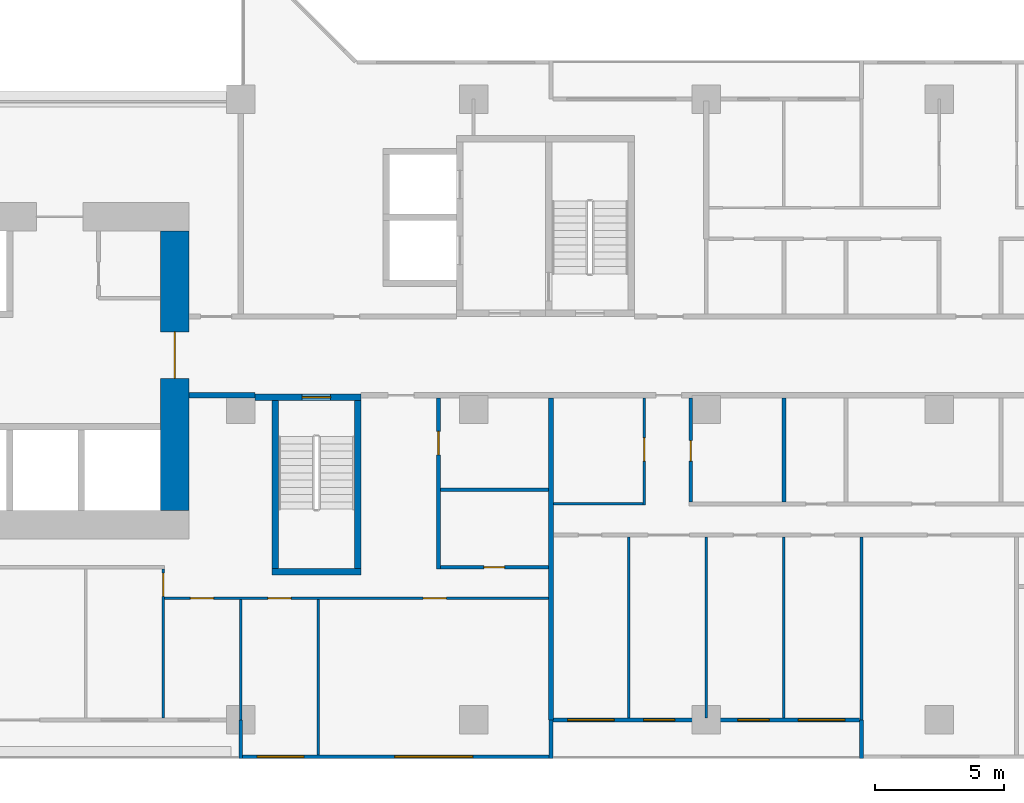
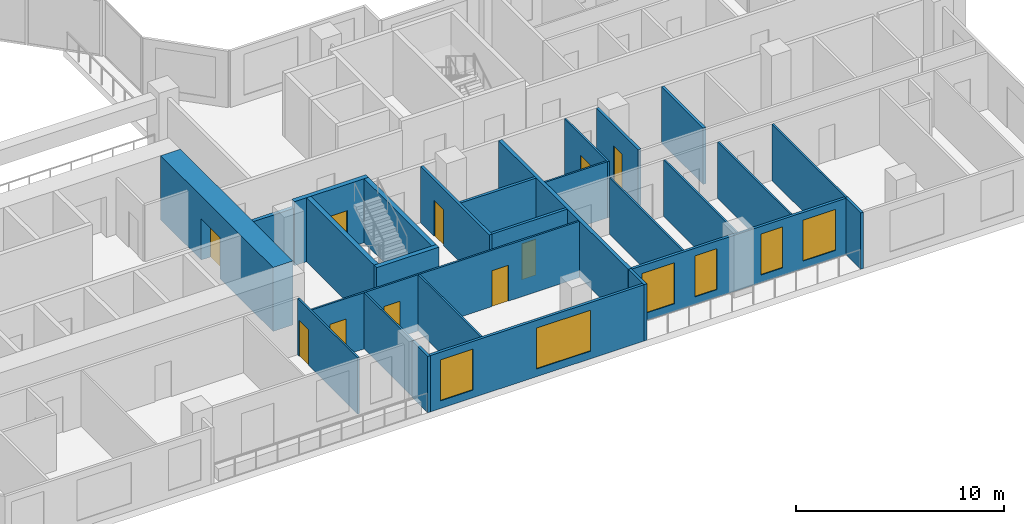
# One storey, part 6 of 16: 27 walls, 10 doors, 6 windows, 16 openings.
"""IFC4 building model written with IfcOpenShell, lengths in metres."""

from ifc_helpers import new_model, si_unit, direction, frame, frame_2d, origin, place, context, subcontext, project, spatial, rectangle, extrude, material, layer, layer_set, type_object, element, fill, save


model = new_model("IFC4")

# Units and contexts
model_context = context("Model", 3, precision=1e-05, world=origin(), true_north=direction((0.0, 1.0)))
body_context = subcontext(model_context, "Body", "Model", "MODEL_VIEW")
ifc_project = project(units=[si_unit("LENGTHUNIT", "METRE"), si_unit("AREAUNIT", "SQUARE_METRE"), si_unit("VOLUMEUNIT", "CUBIC_METRE"), si_unit("PLANEANGLEUNIT", "RADIAN"), si_unit("MASSUNIT", "GRAM", prefix="KILO")], contexts=[model_context])

# Site, building, storey
site_placement = place(None, origin())
site = spatial("IfcSite", under=ifc_project, at=site_placement, CompositionType="ELEMENT")
building_placement = place(site_placement, origin())
building = spatial("IfcBuilding", under=site, at=building_placement, Name="Chenar Terraces", CompositionType="ELEMENT")
storey_placement = place(building_placement, frame((0.0, 0.0, 82.64990234375)))
storey = spatial("IfcBuildingStorey", under=building, at=storey_placement, Name="L18", CompositionType="ELEMENT", Elevation=82.64990234375)

# Wall, opening, door
ifc_material_1 = material(Name="Concrete C70/85", Category="concrete")
ifc_layer_1 = layer(ifc_material_1, 1.10009765625)
ifc_layer_set_1 = layer_set([ifc_layer_1], Name="Concrete C70/85")
wall_type_1 = type_object("IfcWallType", Name="Core wall 1100 Concrete C70/85", PredefinedType="SHEAR", material=ifc_layer_set_1)
wall_1_placement = place(storey_placement, frame((33.449951171875, 8.10009765625, 0.0), z_axis=(0.0, 0.0, 1.0), x_axis=(0.0, 1.0, 0.0)))
wall_1 = element("IfcWall", 1, at=wall_1_placement, inside=storey, type_object=wall_type_1, Name="Core wall E L18", PredefinedType="SHEAR", context=body_context, shape_type="SweptSolid", body=[
    extrude(rectangle(XDim=10.7998046875, YDim=1.10009765625, at=frame_2d((5.39990234375, 0.0))), origin(), (0.0, 0.0, 1.0), 3.75),
])
opening_1_placement = place(wall_1_placement, frame((5.10009765625, 0.0, 0.0)))
opening_1 = element("IfcOpeningElement", 2, at=opening_1_placement, cuts=wall_1, Name="Opening DL18-C1", PredefinedType="OPENING", context=body_context, shape_type="SweptSolid", body=[
    extrude(rectangle(XDim=1.800048828125, YDim=2.39990234375, at=frame_2d((0.89990234375, 1.199951171875))), frame((0.0, 0.56005859375, 0.0), z_axis=(0.0, -1.0, 0.0), x_axis=(1.0, 0.0, 0.0)), (0.0, 0.0, 1.0), 1.1201171875),
])
ifc_material_2 = material(Name="Steel-framed fire-resisting door leaf", Category="steel")
door_type_1 = type_object("IfcDoorType", Name="Core entrance double fire door FD60 1800 x 2400", OperationType="DOUBLE_DOOR_SINGLE_SWING", PredefinedType="DOOR", material=ifc_material_2)
door_1_placement = place(opening_1_placement, origin())
door_1 = element("IfcDoor", 3, at=door_1_placement, inside=storey, type_object=door_type_1, Name="Core door DL18-C1", OperationType="DOUBLE_DOOR_SINGLE_SWING", OverallHeight=2.39990234375, OverallWidth=1.800048828125, PredefinedType="DOOR", context=body_context, shape_type="SweptSolid", body=[
    extrude(rectangle(XDim=1.800048828125, YDim=2.39990234375, at=frame_2d((0.89990234375, 1.199951171875))), frame((0.0, 0.02490234375, 0.0), z_axis=(0.0, -1.0, 0.0), x_axis=(1.0, 0.0, 0.0)), (0.0, 0.0, 1.0), 0.050048828125),
])
fill(opening_1, door_1)

# Wall
ifc_material_3 = material(Name="Concrete C70/85", Category="concrete")
ifc_layer_2 = layer(ifc_material_3, 0.25)
ifc_layer_set_2 = layer_set([ifc_layer_2], Name="Concrete C70/85")
wall_type_2 = type_object("IfcWallType", Name="Core wall 250 Concrete C70/85", PredefinedType="SHEAR", material=ifc_layer_set_2)
wall_2_placement = place(storey_placement, frame((37.199951171875, 5.72509765625, 0.0), z_axis=(0.0, 0.0, 1.0), x_axis=(1.0, 0.0, 0.0)))
element("IfcWall", 4, at=wall_2_placement, inside=storey, type_object=wall_type_2, Name="Core wall ST2_S L18", PredefinedType="SHEAR", context=body_context, shape_type="SweptSolid", body=[
    extrude(rectangle(XDim=3.449951171875, YDim=0.25, at=frame_2d((1.72509765625, 0.0))), origin(), (0.0, 0.0, 1.0), 3.75),
])

# Wall, opening, door
wall_3_placement = place(storey_placement, frame((36.550048828125, 12.47509765625, 0.0), z_axis=(0.0, 0.0, 1.0), x_axis=(1.0, 0.0, 0.0)))
wall_3 = element("IfcWall", 5, at=wall_3_placement, inside=storey, type_object=wall_type_2, Name="Core wall ST2_N L18", PredefinedType="SHEAR", context=body_context, shape_type="SweptSolid", body=[
    extrude(rectangle(XDim=4.099853515625, YDim=0.25, at=frame_2d((2.0498046875, 0.0))), origin(), (0.0, 0.0, 1.0), 3.75),
])
opening_2_placement = place(wall_3_placement, frame((1.824951171875, 0.0, 0.0)))
opening_2 = element("IfcOpeningElement", 6, at=opening_2_placement, cuts=wall_3, Name="Opening DL18-C7", PredefinedType="OPENING", context=body_context, shape_type="SweptSolid", body=[
    extrude(rectangle(XDim=1.10009765625, YDim=2.199951171875, at=frame_2d((0.550048828125, 1.10009765625))), frame((0.0, 0.135009765625, 0.0), z_axis=(0.0, -1.0, 0.0), x_axis=(1.0, 0.0, 0.0)), (0.0, 0.0, 1.0), 0.27001953125),
])
ifc_material_4 = material(Name="Steel-framed fire-resisting door leaf", Category="steel")
door_type_2 = type_object("IfcDoorType", Name="Stair fire door FD60 1100 x 2200", OperationType="SINGLE_SWING_LEFT", PredefinedType="DOOR", material=ifc_material_4)
door_2_placement = place(opening_2_placement, frame((1.10009765625, 0.0, 0.0), z_axis=(0.0, 0.0, 1.0), x_axis=(-1.0, 0.0, 0.0)))
door_2 = element("IfcDoor", 7, at=door_2_placement, inside=storey, type_object=door_type_2, Name="Stair door DL18-C7", OperationType="SINGLE_SWING_LEFT", OverallHeight=2.199951171875, OverallWidth=1.10009765625, PredefinedType="DOOR", context=body_context, shape_type="SweptSolid", body=[
    extrude(rectangle(XDim=1.10009765625, YDim=2.199951171875, at=frame_2d((0.550048828125, 1.10009765625))), frame((0.0, 0.02490234375, 0.0), z_axis=(0.0, -1.0, 0.0), x_axis=(1.0, 0.0, 0.0)), (0.0, 0.0, 1.0), 0.050048828125),
])
fill(opening_2, door_2)

# Walls
for number, where, z_axis, x_axis, name in (
    (8, (37.324951171875, 5.85009765625, 0.0), (0.0, 0.0, 1.0), (0.0, 1.0, 0.0), "Core wall ST2_W L18"),
    (9, (40.52490234375, 5.85009765625, 0.0), (0.0, 0.0, 1.0), (0.0, 1.0, 0.0), "Core wall ST2_E L18"),
):
    element("IfcWall", number, at=place(storey_placement, frame(where, z_axis=z_axis, x_axis=x_axis)), inside=storey, type_object=wall_type_2, Name=name, PredefinedType="SHEAR", context=body_context, shape_type="SweptSolid", body=[
        extrude(rectangle(XDim=6.5, YDim=0.25, at=frame_2d((3.25, 0.0))), origin(), (0.0, 0.0, 1.0), 3.75),
    ])
ifc_material_5 = material(Name="Gypsum board on steel studs with fire boards", Category="steel")
ifc_layer_3 = layer(ifc_material_5, 0.199951171875)
ifc_layer_set_3 = layer_set([ifc_layer_3], Name="Gypsum board on steel studs with fire boards")
wall_type_3 = type_object("IfcWallType", Name="Corridor wall 200", PredefinedType="PARTITIONING", material=ifc_layer_set_3)
wall_4_placement = place(storey_placement, frame((34.0, 12.550048828125, 0.0), z_axis=(0.0, 0.0, 1.0), x_axis=(1.0, 0.0, 0.0)))
element("IfcWall", 10, at=wall_4_placement, inside=storey, type_object=wall_type_3, Name="Partition L18-062", PredefinedType="PARTITIONING", context=body_context, shape_type="SweptSolid", body=[
    extrude(rectangle(XDim=2.551025390625, YDim=0.199951171875, at=frame_2d((1.275390625, 0.0))), origin(), (0.0, 0.0, 1.0), 3.300048828125),
])

# Wall, openings, windows
ifc_material_6 = material(Name="Aluminium framed glazing", Category="aluminium")
ifc_layer_4 = layer(ifc_material_6, 0.14990234375)
ifc_layer_set_4 = layer_set([ifc_layer_4], Name="Aluminium framed glazing")
wall_type_4 = type_object("IfcWallType", Name="Glazed flush facade wall 150", PredefinedType="SOLIDWALL", material=ifc_layer_set_4)
wall_5_placement = place(storey_placement, frame((36.074951171875, -1.425048828125, 0.0), z_axis=(0.0, 0.0, 1.0), x_axis=(1.0, 0.0, 0.0)))
wall_5 = element("IfcWall", 11, at=wall_5_placement, inside=storey, type_object=wall_type_4, Name="Glazed flush facade wall", PredefinedType="SOLIDWALL", context=body_context, shape_type="SweptSolid", body=[
    extrude(rectangle(XDim=11.85009765625, YDim=0.14990234375, at=frame_2d((5.925048828125, 0.0))), origin(), (0.0, 0.0, 1.0), 3.300048828125),
])
opening_3_placement = place(wall_5_placement, frame((0.5625, 0.0, 0.449951171875)))
opening_3 = element("IfcOpeningElement", 12, at=opening_3_placement, cuts=wall_5, Name="Opening W180x240", PredefinedType="OPENING", context=body_context, shape_type="SweptSolid", body=[
    extrude(rectangle(XDim=1.800048828125, YDim=2.39990234375, at=frame_2d((0.89990234375, 1.199951171875))), frame((0.0, 0.0849609375, 0.0), z_axis=(0.0, -1.0, 0.0), x_axis=(1.0, 0.0, 0.0)), (0.0, 0.0, 1.0), 0.169921875),
])
opening_4_placement = place(wall_5_placement, frame((5.887451171875, 0.0, 0.449951171875)))
opening_4 = element("IfcOpeningElement", 13, at=opening_4_placement, cuts=wall_5, Name="Opening W300x240", PredefinedType="OPENING", context=body_context, shape_type="SweptSolid", body=[
    extrude(rectangle(XDim=3.0, YDim=2.39990234375, at=frame_2d((1.5, 1.199951171875))), frame((0.0, 0.0849609375, 0.0), z_axis=(0.0, -1.0, 0.0), x_axis=(1.0, 0.0, 0.0)), (0.0, 0.0, 1.0), 0.169921875),
])
ifc_material_7 = material(Name="Low emissivity double glazing, aluminium frame", Category="aluminium")
window_type_1 = type_object("IfcWindowType", Name="Fixed light 1800 x 2400", PartitioningType="SINGLE_PANEL", PredefinedType="WINDOW", material=ifc_material_7)
window_1_placement = place(opening_3_placement, origin())
window_1 = element("IfcWindow", 14, at=window_1_placement, inside=storey, type_object=window_type_1, Name="Window", OverallHeight=2.39990234375, OverallWidth=1.800048828125, PartitioningType="SINGLE_PANEL", PredefinedType="WINDOW", context=body_context, shape_type="SweptSolid", body=[
    extrude(rectangle(XDim=1.800048828125, YDim=2.39990234375, at=frame_2d((0.89990234375, 1.199951171875))), frame((0.0, 0.030029296875, 0.0), z_axis=(0.0, -1.0, 0.0), x_axis=(1.0, 0.0, 0.0)), (0.0, 0.0, 1.0), 0.06005859375),
])
fill(opening_3, window_1)
ifc_material_8 = material(Name="Low emissivity double glazing, aluminium frame", Category="aluminium")
window_type_2 = type_object("IfcWindowType", Name="Fixed light 3000 x 2400", PartitioningType="SINGLE_PANEL", PredefinedType="WINDOW", material=ifc_material_8)
window_2_placement = place(opening_4_placement, origin())
window_2 = element("IfcWindow", 15, at=window_2_placement, inside=storey, type_object=window_type_2, Name="Window", OverallHeight=2.39990234375, OverallWidth=3.0, PartitioningType="SINGLE_PANEL", PredefinedType="WINDOW", context=body_context, shape_type="SweptSolid", body=[
    extrude(rectangle(XDim=3.0, YDim=2.39990234375, at=frame_2d((1.5, 1.199951171875))), frame((0.0, 0.030029296875, 0.0), z_axis=(0.0, -1.0, 0.0), x_axis=(1.0, 0.0, 0.0)), (0.0, 0.0, 1.0), 0.06005859375),
])
fill(opening_4, window_2)

ifc_material_9 = material(Name="Aluminium framed glazing", Category="aluminium")
ifc_layer_5 = layer(ifc_material_9, 0.14990234375)
ifc_layer_set_5 = layer_set([ifc_layer_5], Name="Aluminium framed glazing")
wall_type_5 = type_object("IfcWallType", Name="Glazed loggia back wall 150", PredefinedType="SOLIDWALL", material=ifc_layer_set_5)
wall_6_placement = place(storey_placement, frame((48.074951171875, 0.0, 0.0), z_axis=(0.0, 0.0, 1.0), x_axis=(1.0, 0.0, 0.0)))
wall_6 = element("IfcWall", 16, at=wall_6_placement, inside=storey, type_object=wall_type_5, Name="Glazed loggia back wall", PredefinedType="SOLIDWALL", context=body_context, shape_type="SweptSolid", body=[
    extrude(rectangle(XDim=11.85009765625, YDim=0.14990234375, at=frame_2d((5.925048828125, 0.0))), origin(), (0.0, 0.0, 1.0), 3.300048828125),
])
opening_5_placement = place(wall_6_placement, frame((0.5625, 0.0, 0.449951171875)))
opening_5 = element("IfcOpeningElement", 17, at=opening_5_placement, cuts=wall_6, Name="Opening W180x240", PredefinedType="OPENING", context=body_context, shape_type="SweptSolid", body=[
    extrude(rectangle(XDim=1.800048828125, YDim=2.39990234375, at=frame_2d((0.89990234375, 1.199951171875))), frame((0.0, 0.0849609375, 0.0), z_axis=(0.0, -1.0, 0.0), x_axis=(1.0, 0.0, 0.0)), (0.0, 0.0, 1.0), 0.169921875),
])
opening_6_placement = place(wall_6_placement, frame((3.5, 0.0, 0.449951171875)))
opening_6 = element("IfcOpeningElement", 18, at=opening_6_placement, cuts=wall_6, Name="Opening W120x240", PredefinedType="OPENING", context=body_context, shape_type="SweptSolid", body=[
    extrude(rectangle(XDim=1.199951171875, YDim=2.39990234375, at=frame_2d((0.60009765625, 1.199951171875))), frame((0.0, 0.0849609375, 0.0), z_axis=(0.0, -1.0, 0.0), x_axis=(1.0, 0.0, 0.0)), (0.0, 0.0, 1.0), 0.169921875),
])
opening_7_placement = place(wall_6_placement, frame((7.14990234375, 0.0, 0.449951171875)))
opening_7 = element("IfcOpeningElement", 19, at=opening_7_placement, cuts=wall_6, Name="Opening W120x240", PredefinedType="OPENING", context=body_context, shape_type="SweptSolid", body=[
    extrude(rectangle(XDim=1.199951171875, YDim=2.39990234375, at=frame_2d((0.60009765625, 1.199951171875))), frame((0.0, 0.0849609375, 0.0), z_axis=(0.0, -1.0, 0.0), x_axis=(1.0, 0.0, 0.0)), (0.0, 0.0, 1.0), 0.169921875),
])
opening_8_placement = place(wall_6_placement, frame((9.487548828125, 0.0, 0.449951171875)))
opening_8 = element("IfcOpeningElement", 20, at=opening_8_placement, cuts=wall_6, Name="Opening W180x240", PredefinedType="OPENING", context=body_context, shape_type="SweptSolid", body=[
    extrude(rectangle(XDim=1.800048828125, YDim=2.39990234375, at=frame_2d((0.89990234375, 1.199951171875))), frame((0.0, 0.0849609375, 0.0), z_axis=(0.0, -1.0, 0.0), x_axis=(1.0, 0.0, 0.0)), (0.0, 0.0, 1.0), 0.169921875),
])
ifc_material_10 = material(Name="Low emissivity double glazing, aluminium frame", Category="aluminium")
window_type_3 = type_object("IfcWindowType", Name="Fixed light 1200 x 2400", PartitioningType="SINGLE_PANEL", PredefinedType="WINDOW", material=ifc_material_10)
window_3_placement = place(opening_6_placement, origin())
window_3 = element("IfcWindow", 21, at=window_3_placement, inside=storey, type_object=window_type_3, Name="Window", OverallHeight=2.39990234375, OverallWidth=1.199951171875, PartitioningType="SINGLE_PANEL", PredefinedType="WINDOW", context=body_context, shape_type="SweptSolid", body=[
    extrude(rectangle(XDim=1.199951171875, YDim=2.39990234375, at=frame_2d((0.60009765625, 1.199951171875))), frame((0.0, 0.030029296875, 0.0), z_axis=(0.0, -1.0, 0.0), x_axis=(1.0, 0.0, 0.0)), (0.0, 0.0, 1.0), 0.06005859375),
])
fill(opening_6, window_3)
window_4_placement = place(opening_7_placement, origin())
window_4 = element("IfcWindow", 22, at=window_4_placement, inside=storey, type_object=window_type_3, Name="Window", OverallHeight=2.39990234375, OverallWidth=1.199951171875, PartitioningType="SINGLE_PANEL", PredefinedType="WINDOW", context=body_context, shape_type="SweptSolid", body=[
    extrude(rectangle(XDim=1.199951171875, YDim=2.39990234375, at=frame_2d((0.60009765625, 1.199951171875))), frame((0.0, 0.030029296875, 0.0), z_axis=(0.0, -1.0, 0.0), x_axis=(1.0, 0.0, 0.0)), (0.0, 0.0, 1.0), 0.06005859375),
])
fill(opening_7, window_4)
window_5_placement = place(opening_5_placement, origin())
window_5 = element("IfcWindow", 23, at=window_5_placement, inside=storey, type_object=window_type_1, Name="Window", OverallHeight=2.39990234375, OverallWidth=1.800048828125, PartitioningType="SINGLE_PANEL", PredefinedType="WINDOW", context=body_context, shape_type="SweptSolid", body=[
    extrude(rectangle(XDim=1.800048828125, YDim=2.39990234375, at=frame_2d((0.89990234375, 1.199951171875))), frame((0.0, 0.030029296875, 0.0), z_axis=(0.0, -1.0, 0.0), x_axis=(1.0, 0.0, 0.0)), (0.0, 0.0, 1.0), 0.06005859375),
])
fill(opening_5, window_5)
window_6_placement = place(opening_8_placement, origin())
window_6 = element("IfcWindow", 24, at=window_6_placement, inside=storey, type_object=window_type_1, Name="Window", OverallHeight=2.39990234375, OverallWidth=1.800048828125, PartitioningType="SINGLE_PANEL", PredefinedType="WINDOW", context=body_context, shape_type="SweptSolid", body=[
    extrude(rectangle(XDim=1.800048828125, YDim=2.39990234375, at=frame_2d((0.89990234375, 1.199951171875))), frame((0.0, 0.030029296875, 0.0), z_axis=(0.0, -1.0, 0.0), x_axis=(1.0, 0.0, 0.0)), (0.0, 0.0, 1.0), 0.06005859375),
])
fill(opening_8, window_6)

# Wall, opening, door
ifc_material_11 = material(Name="Gypsum board on steel studs", Category="steel")
ifc_layer_6 = layer(ifc_material_11, 0.10009765625)
ifc_layer_set_6 = layer_set([ifc_layer_6], Name="Gypsum board on steel studs")
wall_type_6 = type_object("IfcWallType", Name="Gypsum partition 100", PredefinedType="PARTITIONING", material=ifc_layer_set_6)
wall_7_placement = place(storey_placement, frame((33.0, 0.073974609375, 0.0), z_axis=(0.0, 0.0, 1.0), x_axis=(0.0, 1.0, 0.0)))
wall_7 = element("IfcWall", 25, at=wall_7_placement, inside=storey, type_object=wall_type_6, Name="Partition L18-060", PredefinedType="PARTITIONING", context=body_context, shape_type="SweptSolid", body=[
    extrude(rectangle(XDim=5.7509765625, YDim=0.10009765625, at=frame_2d((2.87548828125, 0.0))), origin(), (0.0, 0.0, 1.0), 3.300048828125),
])
opening_9_placement = place(wall_7_placement, frame((4.700927734375, 0.0, 0.0)))
opening_9 = element("IfcOpeningElement", 26, at=opening_9_placement, cuts=wall_7, Name="Opening DL18-59", PredefinedType="OPENING", context=body_context, shape_type="SweptSolid", body=[
    extrude(rectangle(XDim=0.89990234375, YDim=2.10009765625, at=frame_2d((0.449951171875, 1.050048828125))), frame((0.0, 0.06005859375, 0.0), z_axis=(0.0, -1.0, 0.0), x_axis=(1.0, 0.0, 0.0)), (0.0, 0.0, 1.0), 0.1201171875),
])
ifc_material_12 = material(Name="Veneered timber door leaf", Category="wood")
door_type_3 = type_object("IfcDoorType", Name="Door 900 x 2100", OperationType="SINGLE_SWING_LEFT", PredefinedType="DOOR", material=ifc_material_12)
door_3_placement = place(opening_9_placement, origin())
door_3 = element("IfcDoor", 27, at=door_3_placement, inside=storey, type_object=door_type_3, Name="Door DL18-59", OperationType="SINGLE_SWING_RIGHT", OverallHeight=2.10009765625, OverallWidth=0.89990234375, PredefinedType="DOOR", context=body_context, shape_type="SweptSolid", body=[
    extrude(rectangle(XDim=0.89990234375, YDim=2.10009765625, at=frame_2d((0.449951171875, 1.050048828125))), frame((0.0, 0.02490234375, 0.0), z_axis=(0.0, -1.0, 0.0), x_axis=(1.0, 0.0, 0.0)), (0.0, 0.0, 1.0), 0.050048828125),
])
fill(opening_9, door_3)

# Wall, openings, doors
wall_8_placement = place(storey_placement, frame((33.050048828125, 4.699951171875, 0.0), z_axis=(0.0, 0.0, 1.0), x_axis=(1.0, 0.0, 0.0)))
wall_8 = element("IfcWall", 28, at=wall_8_placement, inside=storey, type_object=wall_type_6, Name="Partition L18-061", PredefinedType="PARTITIONING", context=body_context, shape_type="SweptSolid", body=[
    extrude(rectangle(XDim=14.849853515625, YDim=0.10009765625, at=frame_2d((7.4248046875, 0.0))), origin(), (0.0, 0.0, 1.0), 3.300048828125),
])
opening_10_placement = place(wall_8_placement, frame((1.0, 0.0, 0.0)))
opening_10 = element("IfcOpeningElement", 29, at=opening_10_placement, cuts=wall_8, Name="Opening DL18-60", PredefinedType="OPENING", context=body_context, shape_type="SweptSolid", body=[
    extrude(rectangle(XDim=0.89990234375, YDim=2.10009765625, at=frame_2d((0.449951171875, 1.050048828125))), frame((0.0, 0.06005859375, 0.0), z_axis=(0.0, -1.0, 0.0), x_axis=(1.0, 0.0, 0.0)), (0.0, 0.0, 1.0), 0.1201171875),
])
opening_11_placement = place(wall_8_placement, frame((4.0, 0.0, 0.0)))
opening_11 = element("IfcOpeningElement", 30, at=opening_11_placement, cuts=wall_8, Name="Opening DL18-61", PredefinedType="OPENING", context=body_context, shape_type="SweptSolid", body=[
    extrude(rectangle(XDim=0.89990234375, YDim=2.10009765625, at=frame_2d((0.449951171875, 1.050048828125))), frame((0.0, 0.06005859375, 0.0), z_axis=(0.0, -1.0, 0.0), x_axis=(1.0, 0.0, 0.0)), (0.0, 0.0, 1.0), 0.1201171875),
])
opening_12_placement = place(wall_8_placement, frame((10.0, 0.0, 0.0)))
opening_12 = element("IfcOpeningElement", 31, at=opening_12_placement, cuts=wall_8, Name="Opening DL18-69", PredefinedType="OPENING", context=body_context, shape_type="SweptSolid", body=[
    extrude(rectangle(XDim=0.89990234375, YDim=2.10009765625, at=frame_2d((0.449951171875, 1.050048828125))), frame((0.0, 0.06005859375, 0.0), z_axis=(0.0, -1.0, 0.0), x_axis=(1.0, 0.0, 0.0)), (0.0, 0.0, 1.0), 0.1201171875),
])
door_4_placement = place(opening_10_placement, frame((0.89990234375, 0.0, 0.0), z_axis=(0.0, 0.0, 1.0), x_axis=(-1.0, 0.0, 0.0)))
door_4 = element("IfcDoor", 32, at=door_4_placement, inside=storey, type_object=door_type_3, Name="Door DL18-60", OperationType="SINGLE_SWING_LEFT", OverallHeight=2.10009765625, OverallWidth=0.89990234375, PredefinedType="DOOR", context=body_context, shape_type="SweptSolid", body=[
    extrude(rectangle(XDim=0.89990234375, YDim=2.10009765625, at=frame_2d((0.449951171875, 1.050048828125))), frame((0.0, 0.02490234375, 0.0), z_axis=(0.0, -1.0, 0.0), x_axis=(1.0, 0.0, 0.0)), (0.0, 0.0, 1.0), 0.050048828125),
])
fill(opening_10, door_4)
door_5_placement = place(opening_11_placement, frame((0.89990234375, 0.0, 0.0), z_axis=(0.0, 0.0, 1.0), x_axis=(-1.0, 0.0, 0.0)))
door_5 = element("IfcDoor", 33, at=door_5_placement, inside=storey, type_object=door_type_3, Name="Door DL18-61", OperationType="SINGLE_SWING_LEFT", OverallHeight=2.10009765625, OverallWidth=0.89990234375, PredefinedType="DOOR", context=body_context, shape_type="SweptSolid", body=[
    extrude(rectangle(XDim=0.89990234375, YDim=2.10009765625, at=frame_2d((0.449951171875, 1.050048828125))), frame((0.0, 0.02490234375, 0.0), z_axis=(0.0, -1.0, 0.0), x_axis=(1.0, 0.0, 0.0)), (0.0, 0.0, 1.0), 0.050048828125),
])
fill(opening_11, door_5)
door_6_placement = place(opening_12_placement, frame((0.89990234375, 0.0, 0.0), z_axis=(0.0, 0.0, 1.0), x_axis=(-1.0, 0.0, 0.0)))
door_6 = element("IfcDoor", 34, at=door_6_placement, inside=storey, type_object=door_type_3, Name="Door DL18-69", OperationType="SINGLE_SWING_LEFT", OverallHeight=2.10009765625, OverallWidth=0.89990234375, PredefinedType="DOOR", context=body_context, shape_type="SweptSolid", body=[
    extrude(rectangle(XDim=0.89990234375, YDim=2.10009765625, at=frame_2d((0.449951171875, 1.050048828125))), frame((0.0, 0.02490234375, 0.0), z_axis=(0.0, -1.0, 0.0), x_axis=(1.0, 0.0, 0.0)), (0.0, 0.0, 1.0), 0.050048828125),
])
fill(opening_12, door_6)

# Walls
wall_9_placement = place(storey_placement, frame((36.0, 0.0, 0.0), z_axis=(0.0, 0.0, 1.0), x_axis=(0.0, 1.0, 0.0)))
element("IfcWall", 35, at=wall_9_placement, inside=storey, type_object=wall_type_6, Name="Partition L18-064", PredefinedType="PARTITIONING", context=body_context, shape_type="SweptSolid", body=[
    extrude(rectangle(XDim=4.64990234375, YDim=0.10009765625, at=frame_2d((2.324951171875, 0.0))), origin(), (0.0, 0.0, 1.0), 3.300048828125),
])
wall_10_placement = place(storey_placement, frame((39.0, -1.35009765625, 0.0), z_axis=(0.0, 0.0, 1.0), x_axis=(0.0, 1.0, 0.0)))
element("IfcWall", 36, at=wall_10_placement, inside=storey, type_object=wall_type_6, Name="Partition L18-066", PredefinedType="PARTITIONING", context=body_context, shape_type="SweptSolid", body=[
    extrude(rectangle(XDim=6.0, YDim=0.10009765625, at=frame_2d((3.0, 0.0))), origin(), (0.0, 0.0, 1.0), 3.300048828125),
])
wall_11_placement = place(storey_placement, frame((48.10009765625, 8.35009765625, 0.0), z_axis=(0.0, 0.0, 1.0), x_axis=(1.0, 0.0, 0.0)))
element("IfcWall", 37, at=wall_11_placement, inside=storey, type_object=wall_type_6, Name="Partition L18-074", PredefinedType="PARTITIONING", context=body_context, shape_type="SweptSolid", body=[
    extrude(rectangle(XDim=3.449951171875, YDim=0.10009765625, at=frame_2d((1.72509765625, 0.0))), origin(), (0.0, 0.0, 1.0), 3.300048828125),
])
wall_12_placement = place(storey_placement, frame((51.0, 0.073974609375, 0.0), z_axis=(0.0, 0.0, 1.0), x_axis=(0.0, 1.0, 0.0)))
element("IfcWall", 38, at=wall_12_placement, inside=storey, type_object=wall_type_6, Name="Partition L18-075", PredefinedType="PARTITIONING", context=body_context, shape_type="SweptSolid", body=[
    extrude(rectangle(XDim=7.0009765625, YDim=0.10009765625, at=frame_2d((3.50048828125, 0.0))), origin(), (0.0, 0.0, 1.0), 3.300048828125),
])

# Wall, opening, door
wall_13_placement = place(storey_placement, frame((51.60009765625, 8.300048828125, 0.0), z_axis=(0.0, 0.0, 1.0), x_axis=(0.0, 1.0, 0.0)))
wall_13 = element("IfcWall", 39, at=wall_13_placement, inside=storey, type_object=wall_type_6, Name="Partition L18-077", PredefinedType="PARTITIONING", context=body_context, shape_type="SweptSolid", body=[
    extrude(rectangle(XDim=4.14990234375, YDim=0.10009765625, at=frame_2d((2.074951171875, 0.0))), origin(), (0.0, 0.0, 1.0), 3.300048828125),
])
opening_13_placement = place(wall_13_placement, frame((1.699951171875, 0.0, 0.0)))
opening_13 = element("IfcOpeningElement", 40, at=opening_13_placement, cuts=wall_13, Name="Opening DL18-19", PredefinedType="OPENING", context=body_context, shape_type="SweptSolid", body=[
    extrude(rectangle(XDim=0.89990234375, YDim=2.10009765625, at=frame_2d((0.449951171875, 1.050048828125))), frame((0.0, 0.06005859375, 0.0), z_axis=(0.0, -1.0, 0.0), x_axis=(1.0, 0.0, 0.0)), (0.0, 0.0, 1.0), 0.1201171875),
])
door_7_placement = place(opening_13_placement, origin())
door_7 = element("IfcDoor", 41, at=door_7_placement, inside=storey, type_object=door_type_3, Name="Door DL18-19", OperationType="SINGLE_SWING_LEFT", OverallHeight=2.10009765625, OverallWidth=0.89990234375, PredefinedType="DOOR", context=body_context, shape_type="SweptSolid", body=[
    extrude(rectangle(XDim=0.89990234375, YDim=2.10009765625, at=frame_2d((0.449951171875, 1.050048828125))), frame((0.0, 0.02490234375, 0.0), z_axis=(0.0, -1.0, 0.0), x_axis=(1.0, 0.0, 0.0)), (0.0, 0.0, 1.0), 0.050048828125),
])
fill(opening_13, door_7)

# Walls
for number, where, z_axis, x_axis, name in (
    (42, (54.0, 0.073974609375, 0.0), (0.0, 0.0, 1.0), (0.0, 1.0, 0.0), "Partition L18-080"),
    (43, (57.0, 0.073974609375, 0.0), (0.0, 0.0, 1.0), (0.0, 1.0, 0.0), "Partition L18-085"),
):
    element("IfcWall", number, at=place(storey_placement, frame(where, z_axis=z_axis, x_axis=x_axis)), inside=storey, type_object=wall_type_6, Name=name, PredefinedType="PARTITIONING", context=body_context, shape_type="SweptSolid", body=[
        extrude(rectangle(XDim=7.0009765625, YDim=0.10009765625, at=frame_2d((3.50048828125, 0.0))), origin(), (0.0, 0.0, 1.0), 3.300048828125),
    ])
wall_14_placement = place(storey_placement, frame((60.0, 0.0, 0.0), z_axis=(0.0, 0.0, 1.0), x_axis=(0.0, 1.0, 0.0)))
element("IfcWall", 44, at=wall_14_placement, inside=storey, type_object=wall_type_6, Name="Partition L18-091", PredefinedType="PARTITIONING", context=body_context, shape_type="SweptSolid", body=[
    extrude(rectangle(XDim=7.074951171875, YDim=0.10009765625, at=frame_2d((3.53759765625, 0.0))), origin(), (0.0, 0.0, 1.0), 3.300048828125),
])
ifc_material_13 = material(Name="Terracotta cladding on insulated backing", Category="masonry")
ifc_layer_7 = layer(ifc_material_13, 0.14990234375)
ifc_layer_set_7 = layer_set([ifc_layer_7], Name="Terracotta cladding on insulated backing")
wall_type_7 = type_object("IfcWallType", Name="Loggia return wall 150", PredefinedType="SOLIDWALL", material=ifc_layer_set_7)
for number, where, z_axis, x_axis, name in (
    (45, (36.0, -1.5, 0.0), (0.0, 0.0, 1.0), (0.0, 1.0, 0.0), "Loggia return wall"),
    (46, (48.0, -1.5, 0.0), (0.0, 0.0, 1.0), (0.0, 1.0, 0.0), "Loggia return wall"),
    (47, (60.0, -1.5, 0.0), (0.0, 0.0, 1.0), (0.0, 1.0, 0.0), "Loggia return wall"),
):
    element("IfcWall", number, at=place(storey_placement, frame(where, z_axis=z_axis, x_axis=x_axis)), inside=storey, type_object=wall_type_7, Name=name, PredefinedType="SOLIDWALL", context=body_context, shape_type="SweptSolid", body=[
        extrude(rectangle(XDim=1.5, YDim=0.14990234375, at=frame_2d((0.75, 0.0))), origin(), (0.0, 0.0, 1.0), 3.300048828125),
    ])
ifc_material_14 = material(Name="Twin gypsum board on steel studs with mineral wool", Category="steel")
ifc_layer_8 = layer(ifc_material_14, 0.199951171875)
ifc_layer_set_8 = layer_set([ifc_layer_8], Name="Twin gypsum board on steel studs with mineral wool")
wall_type_8 = type_object("IfcWallType", Name="Unit demising wall 200", PredefinedType="PARTITIONING", material=ifc_layer_set_8)
wall_15_placement = place(storey_placement, frame((48.0, 0.0, 0.0), z_axis=(0.0, 0.0, 1.0), x_axis=(0.0, 1.0, 0.0)))
element("IfcWall", 48, at=wall_15_placement, inside=storey, type_object=wall_type_8, Name="Partition L18-072", PredefinedType="PARTITIONING", context=body_context, shape_type="SweptSolid", body=[
    extrude(rectangle(XDim=12.449951171875, YDim=0.199951171875, at=frame_2d((6.22509765625, 0.0))), origin(), (0.0, 0.0, 1.0), 3.300048828125),
])

# Wall, opening, door
ifc_material_15 = material(Name="Moisture-resistant gypsum board on steel studs", Category="steel")
ifc_layer_9 = layer(ifc_material_15, 0.14990234375)
ifc_layer_set_9 = layer_set([ifc_layer_9], Name="Moisture-resistant gypsum board on steel studs")
wall_type_9 = type_object("IfcWallType", Name="Wet-room partition 150", PredefinedType="PARTITIONING", material=ifc_layer_set_9)
wall_16_placement = place(storey_placement, frame((43.64990234375, 5.824951171875, 0.0), z_axis=(0.0, 0.0, 1.0), x_axis=(0.0, 1.0, 0.0)))
wall_16 = element("IfcWall", 49, at=wall_16_placement, inside=storey, type_object=wall_type_9, Name="Partition L18-068", PredefinedType="PARTITIONING", context=body_context, shape_type="SweptSolid", body=[
    extrude(rectangle(XDim=6.625, YDim=0.14990234375, at=frame_2d((3.3125, 0.0))), origin(), (0.0, 0.0, 1.0), 3.300048828125),
])
opening_14_placement = place(wall_16_placement, frame((4.425048828125, 0.0, 0.0)))
opening_14 = element("IfcOpeningElement", 50, at=opening_14_placement, cuts=wall_16, Name="Opening DL18-67", PredefinedType="OPENING", context=body_context, shape_type="SweptSolid", body=[
    extrude(rectangle(XDim=0.89990234375, YDim=2.10009765625, at=frame_2d((0.449951171875, 1.050048828125))), frame((0.0, 0.0849609375, 0.0), z_axis=(0.0, -1.0, 0.0), x_axis=(1.0, 0.0, 0.0)), (0.0, 0.0, 1.0), 0.169921875),
])
door_8_placement = place(opening_14_placement, frame((0.89990234375, 0.0, 0.0), z_axis=(0.0, 0.0, 1.0), x_axis=(-1.0, 0.0, 0.0)))
door_8 = element("IfcDoor", 51, at=door_8_placement, inside=storey, type_object=door_type_3, Name="Door DL18-67", OperationType="SINGLE_SWING_LEFT", OverallHeight=2.10009765625, OverallWidth=0.89990234375, PredefinedType="DOOR", context=body_context, shape_type="SweptSolid", body=[
    extrude(rectangle(XDim=0.89990234375, YDim=2.10009765625, at=frame_2d((0.449951171875, 1.050048828125))), frame((0.0, 0.02490234375, 0.0), z_axis=(0.0, -1.0, 0.0), x_axis=(1.0, 0.0, 0.0)), (0.0, 0.0, 1.0), 0.050048828125),
])
fill(opening_14, door_8)

wall_17_placement = place(storey_placement, frame((43.72509765625, 5.89990234375, 0.0), z_axis=(0.0, 0.0, 1.0), x_axis=(1.0, 0.0, 0.0)))
wall_17 = element("IfcWall", 52, at=wall_17_placement, inside=storey, type_object=wall_type_9, Name="Partition L18-069", PredefinedType="PARTITIONING", context=body_context, shape_type="SweptSolid", body=[
    extrude(rectangle(XDim=4.1748046875, YDim=0.14990234375, at=frame_2d((2.08740234375, 0.0))), origin(), (0.0, 0.0, 1.0), 3.300048828125),
])
opening_15_placement = place(wall_17_placement, frame((1.675048828125, 0.0, 0.0)))
opening_15 = element("IfcOpeningElement", 53, at=opening_15_placement, cuts=wall_17, Name="Opening DL18-57", PredefinedType="OPENING", context=body_context, shape_type="SweptSolid", body=[
    extrude(rectangle(XDim=0.800048828125, YDim=2.10009765625, at=frame_2d((0.39990234375, 1.050048828125))), frame((0.0, 0.0849609375, 0.0), z_axis=(0.0, -1.0, 0.0), x_axis=(1.0, 0.0, 0.0)), (0.0, 0.0, 1.0), 0.169921875),
])
ifc_material_16 = material(Name="Veneered timber door leaf", Category="wood")
door_type_4 = type_object("IfcDoorType", Name="Door 800 x 2100", OperationType="SINGLE_SWING_LEFT", PredefinedType="DOOR", material=ifc_material_16)
door_9_placement = place(opening_15_placement, origin())
door_9 = element("IfcDoor", 54, at=door_9_placement, inside=storey, type_object=door_type_4, Name="Door DL18-57", OperationType="SINGLE_SWING_LEFT", OverallHeight=2.10009765625, OverallWidth=0.800048828125, PredefinedType="DOOR", context=body_context, shape_type="SweptSolid", body=[
    extrude(rectangle(XDim=0.800048828125, YDim=2.10009765625, at=frame_2d((0.39990234375, 1.050048828125))), frame((0.0, 0.02490234375, 0.0), z_axis=(0.0, -1.0, 0.0), x_axis=(1.0, 0.0, 0.0)), (0.0, 0.0, 1.0), 0.050048828125),
])
fill(opening_15, door_9)

# Wall
wall_18_placement = place(storey_placement, frame((43.72509765625, 8.89990234375, 0.0), z_axis=(0.0, 0.0, 1.0), x_axis=(1.0, 0.0, 0.0)))
element("IfcWall", 55, at=wall_18_placement, inside=storey, type_object=wall_type_9, Name="Partition L18-070", PredefinedType="PARTITIONING", context=body_context, shape_type="SweptSolid", body=[
    extrude(rectangle(XDim=4.1748046875, YDim=0.14990234375, at=frame_2d((2.08740234375, 0.0))), origin(), (0.0, 0.0, 1.0), 3.300048828125),
])

# Wall, opening, door
wall_19_placement = place(storey_placement, frame((53.39990234375, 8.425048828125, 0.0), z_axis=(0.0, 0.0, 1.0), x_axis=(0.0, 1.0, 0.0)))
wall_19 = element("IfcWall", 56, at=wall_19_placement, inside=storey, type_object=wall_type_9, Name="Partition L18-079", PredefinedType="PARTITIONING", context=body_context, shape_type="SweptSolid", body=[
    extrude(rectangle(XDim=4.02490234375, YDim=0.14990234375, at=frame_2d((2.012451171875, 0.0))), origin(), (0.0, 0.0, 1.0), 3.300048828125),
])
opening_16_placement = place(wall_19_placement, frame((1.574951171875, 0.0, 0.0)))
opening_16 = element("IfcOpeningElement", 57, at=opening_16_placement, cuts=wall_19, Name="Opening DL18-29", PredefinedType="OPENING", context=body_context, shape_type="SweptSolid", body=[
    extrude(rectangle(XDim=0.800048828125, YDim=2.10009765625, at=frame_2d((0.39990234375, 1.050048828125))), frame((0.0, 0.0849609375, 0.0), z_axis=(0.0, -1.0, 0.0), x_axis=(1.0, 0.0, 0.0)), (0.0, 0.0, 1.0), 0.169921875),
])
door_10_placement = place(opening_16_placement, frame((0.800048828125, 0.0, 0.0), z_axis=(0.0, 0.0, 1.0), x_axis=(-1.0, 0.0, 0.0)))
door_10 = element("IfcDoor", 58, at=door_10_placement, inside=storey, type_object=door_type_4, Name="Door DL18-29", OperationType="SINGLE_SWING_LEFT", OverallHeight=2.10009765625, OverallWidth=0.800048828125, PredefinedType="DOOR", context=body_context, shape_type="SweptSolid", body=[
    extrude(rectangle(XDim=0.800048828125, YDim=2.10009765625, at=frame_2d((0.39990234375, 1.050048828125))), frame((0.0, 0.02490234375, 0.0), z_axis=(0.0, -1.0, 0.0), x_axis=(1.0, 0.0, 0.0)), (0.0, 0.0, 1.0), 0.050048828125),
])
fill(opening_16, door_10)

# Wall
wall_20_placement = place(storey_placement, frame((57.0, 8.425048828125, 0.0), z_axis=(0.0, 0.0, 1.0), x_axis=(0.0, 1.0, 0.0)))
element("IfcWall", 59, at=wall_20_placement, inside=storey, type_object=wall_type_9, Name="Partition L18-086", PredefinedType="PARTITIONING", context=body_context, shape_type="SweptSolid", body=[
    extrude(rectangle(XDim=4.02490234375, YDim=0.14990234375, at=frame_2d((2.012451171875, 0.0))), origin(), (0.0, 0.0, 1.0), 3.300048828125),
])

save(model, "model.ifc")
